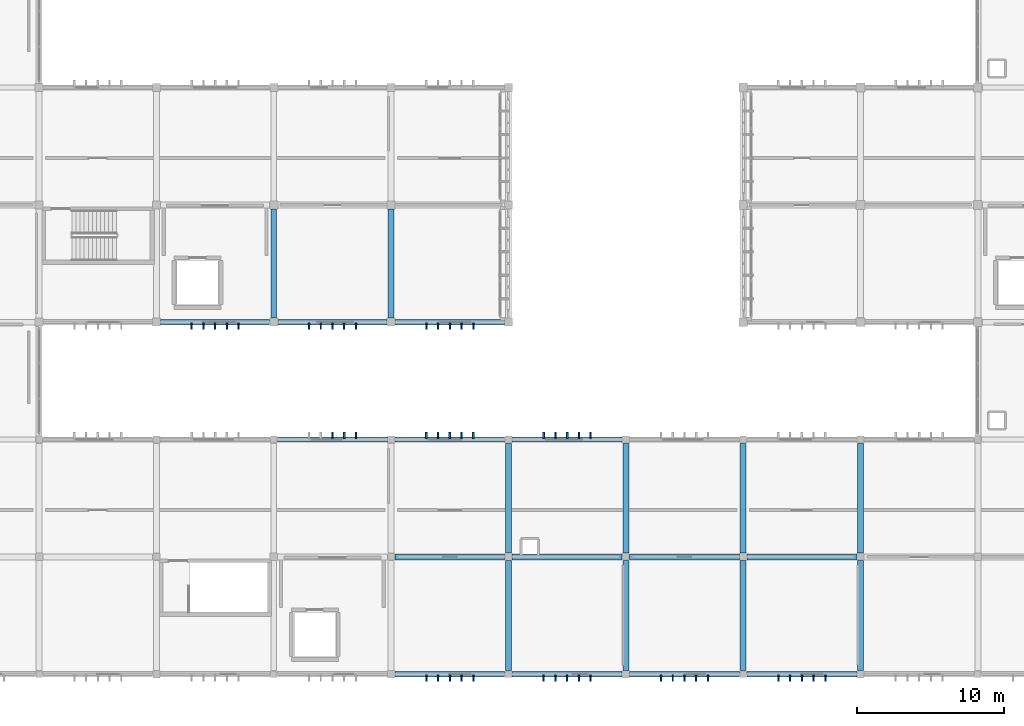
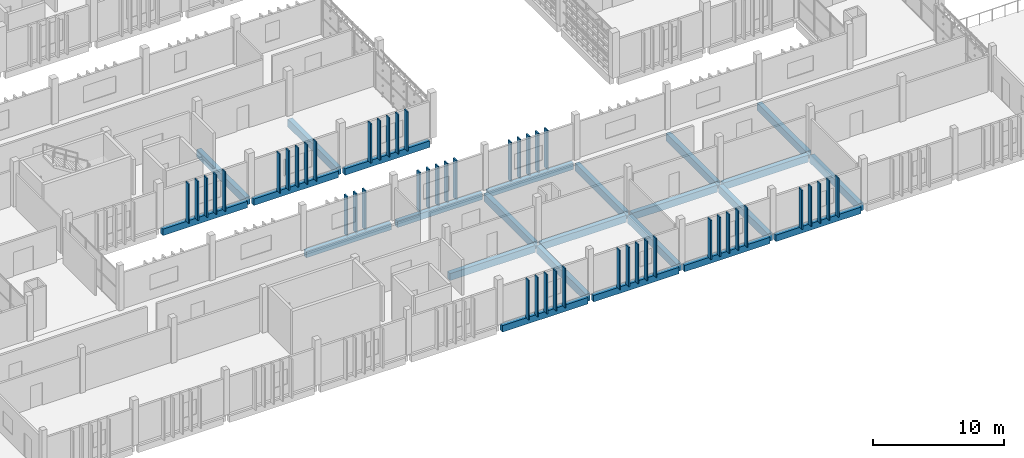
# One storey, part 17 of 63: 48 members, 24 beams.
"""IFC4 building model written with IfcOpenShell, lengths in metres."""

from ifc_helpers import new_model, si_unit, direction, frame, origin, origin_2d, place, context, subcontext, project, spatial, rectangle, extrude, material, material_profile, profile_set, type_object, element, save


model = new_model("IFC4")

# Units and contexts
model_context = context("Model", 3, precision=1e-05, world=origin(), true_north=direction((0.0, 1.0)))
body_context = subcontext(model_context, "Body", "Model", "MODEL_VIEW")
ifc_project = project(units=[si_unit("LENGTHUNIT", "METRE"), si_unit("AREAUNIT", "SQUARE_METRE"), si_unit("VOLUMEUNIT", "CUBIC_METRE"), si_unit("PLANEANGLEUNIT", "RADIAN"), si_unit("MASSUNIT", "GRAM", prefix="KILO")], contexts=[model_context])

# Site, building, storey
site_placement = place(None, origin())
site = spatial("IfcSite", under=ifc_project, at=site_placement, CompositionType="ELEMENT")
building_placement = place(site_placement, origin())
building = spatial("IfcBuilding", under=site, at=building_placement, Name="Jelvoka-Kovrelna Polytechnic", CompositionType="ELEMENT")
storey_placement = place(building_placement, frame((0.0, 0.0, 18.0)))
storey = spatial("IfcBuildingStorey", under=building, at=storey_placement, Name="L05", CompositionType="ELEMENT", Elevation=18.0)

# Beams
ifc_material_1 = material(Name="Concrete C40/50", Category="concrete")
ifc_material_profile_1 = material_profile(ifc_material_1, rectangle(XDim=0.39990234375, YDim=0.64990234375, at=origin_2d()), Name="RC 400x650")
ifc_profile_set_1 = profile_set([ifc_material_profile_1], Name="Concrete C40/50")
beam_type_1 = type_object("IfcBeamType", Name="Beam_RC_400x650", PredefinedType="BEAM", material=ifc_profile_set_1)
for number, where, z_axis, x_axis, name in (
    (1, (104.2548828125, 16.0, -0.574951171875), (1.0, 0.0, 0.0), (0.0, 1.0, 0.0), "L05 beam 1377"),
    (2, (112.2548828125, 16.0, -0.574951171875), (1.0, 0.0, 0.0), (0.0, 1.0, 0.0), "L05 beam 1403"),
    (3, (120.2548828125, 16.0, -0.574951171875), (1.0, 0.0, 0.0), (0.0, 1.0, 0.0), "L05 beam 1404"),
    (4, (128.2548828125, 16.0, -0.574951171875), (1.0, 0.0, 0.0), (0.0, 1.0, 0.0), "L05 beam 1405"),
):
    element("IfcBeam", number, at=place(storey_placement, frame(where, z_axis=z_axis, x_axis=x_axis)), inside=storey, type_object=beam_type_1, Name=name, PredefinedType="BEAM", context=body_context, shape_type="SweptSolid", body=[
        extrude(rectangle(XDim=0.39990234375, YDim=0.64990234375, at=origin_2d()), origin(), (0.0, 0.0, 1.0), 7.490234375),
    ])
ifc_material_2 = material(Name="Concrete C40/50", Category="concrete")
ifc_material_profile_2 = material_profile(ifc_material_2, rectangle(XDim=0.39990234375, YDim=0.699951171875, at=origin_2d()), Name="RC 400x700")
ifc_profile_set_2 = profile_set([ifc_material_profile_2], Name="Concrete C40/50")
beam_type_2 = type_object("IfcBeamType", Name="Beam_RC_400x700", PredefinedType="BEAM", material=ifc_profile_set_2)
for number, where, z_axis, x_axis, name in (
    (5, (112.0, 8.2548828125, -0.60009765625), (0.0, 1.0, 0.0), (-1.0, 0.0, 0.0), "L05 beam 1396"),
    (6, (112.0, 16.2548828125, -0.60009765625), (0.0, 1.0, 0.0), (-1.0, 0.0, 0.0), "L05 beam 1397"),
    (7, (120.0, 8.2548828125, -0.60009765625), (0.0, 1.0, 0.0), (-1.0, 0.0, 0.0), "L05 beam 1413"),
    (8, (120.0, 16.2548828125, -0.60009765625), (0.0, 1.0, 0.0), (-1.0, 0.0, 0.0), "L05 beam 1414"),
    (9, (128.0, 8.2548828125, -0.60009765625), (0.0, 1.0, 0.0), (-1.0, 0.0, 0.0), "L05 beam 1415"),
    (10, (128.0, 16.2548828125, -0.60009765625), (0.0, 1.0, 0.0), (-1.0, 0.0, 0.0), "L05 beam 1416"),
    (11, (136.0, 8.2548828125, -0.60009765625), (0.0, 1.0, 0.0), (-1.0, 0.0, 0.0), "L05 beam 1417"),
    (12, (136.0, 16.2548828125, -0.60009765625), (0.0, 1.0, 0.0), (-1.0, 0.0, 0.0), "L05 beam 1418"),
):
    element("IfcBeam", number, at=place(storey_placement, frame(where, z_axis=z_axis, x_axis=x_axis)), inside=storey, type_object=beam_type_2, Name=name, PredefinedType="BEAM", context=body_context, shape_type="SweptSolid", body=[
        extrude(rectangle(XDim=0.39990234375, YDim=0.699951171875, at=origin_2d()), origin(), (0.0, 0.0, 1.0), 7.490234375),
    ])
for number, where, z_axis, x_axis, name in (
    (13, (96.0, 32.280029296875, -0.60009765625), (0.0, 1.0, 0.0), (-1.0, 0.0, 0.0), "L05 beam 1453"),
    (14, (104.0, 32.280029296875, -0.60009765625), (0.0, 1.0, 0.0), (-1.0, 0.0, 0.0), "L05 beam 1455"),
):
    element("IfcBeam", number, at=place(storey_placement, frame(where, z_axis=z_axis, x_axis=x_axis)), inside=storey, type_object=beam_type_2, Name=name, PredefinedType="BEAM", context=body_context, shape_type="SweptSolid", body=[
        extrude(rectangle(XDim=0.39990234375, YDim=0.699951171875, at=origin_2d()), origin(), (0.0, 0.0, 1.0), 7.43994140625),
    ])

# Members
ifc_material_3 = material(Name="Precast concrete C40/50", Category="concrete")
ifc_material_profile_3 = material_profile(ifc_material_3, rectangle(XDim=0.10009765625, YDim=0.449951171875, at=origin_2d()), Name="PC 100x450")
ifc_profile_set_3 = profile_set([ifc_material_profile_3], Name="Precast concrete C40/50")
member_type_1 = type_object("IfcMemberType", Name="Louvre_Fin_100x450", PredefinedType="USERDEFINED", material=ifc_profile_set_3)
for number, where, z_axis, x_axis, name in (
    (15, (106.39990234375, 7.735107421875, -0.27001953125), (0.0, 0.0, 1.0), (1.0, 0.0, 0.0), "L05 B1 south vertical solar louvre fin 0501"),
    (16, (107.199951171875, 7.735107421875, -0.27001953125), (0.0, 0.0, 1.0), (1.0, 0.0, 0.0), "L05 B1 south vertical solar louvre fin 0502"),
    (17, (108.0, 7.735107421875, -0.27001953125), (0.0, 0.0, 1.0), (1.0, 0.0, 0.0), "L05 B1 south vertical solar louvre fin 0503"),
    (18, (108.800048828125, 7.735107421875, -0.27001953125), (0.0, 0.0, 1.0), (1.0, 0.0, 0.0), "L05 B1 south vertical solar louvre fin 0504"),
    (19, (109.60009765625, 7.735107421875, -0.27001953125), (0.0, 0.0, 1.0), (1.0, 0.0, 0.0), "L05 B1 south vertical solar louvre fin 0505"),
    (20, (114.39990234375, 7.735107421875, -0.27001953125), (0.0, 0.0, 1.0), (1.0, 0.0, 0.0), "L05 B1 south vertical solar louvre fin 0511"),
    (21, (115.199951171875, 7.735107421875, -0.27001953125), (0.0, 0.0, 1.0), (1.0, 0.0, 0.0), "L05 B1 south vertical solar louvre fin 0512"),
    (22, (116.0, 7.735107421875, -0.27001953125), (0.0, 0.0, 1.0), (1.0, 0.0, 0.0), "L05 B1 south vertical solar louvre fin 0513"),
    (23, (116.800048828125, 7.735107421875, -0.27001953125), (0.0, 0.0, 1.0), (1.0, 0.0, 0.0), "L05 B1 south vertical solar louvre fin 0514"),
    (24, (117.60009765625, 7.735107421875, -0.27001953125), (0.0, 0.0, 1.0), (1.0, 0.0, 0.0), "L05 B1 south vertical solar louvre fin 0515"),
    (25, (122.39990234375, 7.735107421875, -0.27001953125), (0.0, 0.0, 1.0), (1.0, 0.0, 0.0), "L05 B1 south vertical solar louvre fin 0521"),
    (26, (123.199951171875, 7.735107421875, -0.27001953125), (0.0, 0.0, 1.0), (1.0, 0.0, 0.0), "L05 B1 south vertical solar louvre fin 0522"),
    (27, (124.0, 7.735107421875, -0.27001953125), (0.0, 0.0, 1.0), (1.0, 0.0, 0.0), "L05 B1 south vertical solar louvre fin 0523"),
    (28, (124.800048828125, 7.735107421875, -0.27001953125), (0.0, 0.0, 1.0), (1.0, 0.0, 0.0), "L05 B1 south vertical solar louvre fin 0524"),
    (29, (125.60009765625, 7.735107421875, -0.27001953125), (0.0, 0.0, 1.0), (1.0, 0.0, 0.0), "L05 B1 south vertical solar louvre fin 0525"),
    (30, (130.39990234375, 7.735107421875, -0.27001953125), (0.0, 0.0, 1.0), (1.0, 0.0, 0.0), "L05 B1 south vertical solar louvre fin 0531"),
    (31, (131.199951171875, 7.735107421875, -0.27001953125), (0.0, 0.0, 1.0), (1.0, 0.0, 0.0), "L05 B1 south vertical solar louvre fin 0532"),
    (32, (132.0, 7.735107421875, -0.27001953125), (0.0, 0.0, 1.0), (1.0, 0.0, 0.0), "L05 B1 south vertical solar louvre fin 0533"),
    (33, (132.800048828125, 7.735107421875, -0.27001953125), (0.0, 0.0, 1.0), (1.0, 0.0, 0.0), "L05 B1 south vertical solar louvre fin 0534"),
    (34, (133.60009765625, 7.735107421875, -0.27001953125), (0.0, 0.0, 1.0), (1.0, 0.0, 0.0), "L05 B1 south vertical solar louvre fin 0535"),
    (35, (90.39990234375, 31.735107421875, -0.27001953125), (0.0, 0.0, 1.0), (1.0, 0.0, 0.0), "L05 B2W south vertical solar louvre fin 0781"),
    (36, (91.199951171875, 31.735107421875, -0.27001953125), (0.0, 0.0, 1.0), (1.0, 0.0, 0.0), "L05 B2W south vertical solar louvre fin 0782"),
    (37, (92.0, 31.735107421875, -0.27001953125), (0.0, 0.0, 1.0), (1.0, 0.0, 0.0), "L05 B2W south vertical solar louvre fin 0783"),
    (38, (92.800048828125, 31.735107421875, -0.27001953125), (0.0, 0.0, 1.0), (1.0, 0.0, 0.0), "L05 B2W south vertical solar louvre fin 0784"),
    (39, (93.60009765625, 31.735107421875, -0.27001953125), (0.0, 0.0, 1.0), (1.0, 0.0, 0.0), "L05 B2W south vertical solar louvre fin 0785"),
    (40, (98.39990234375, 31.735107421875, -0.27001953125), (0.0, 0.0, 1.0), (1.0, 0.0, 0.0), "L05 B2W south vertical solar louvre fin 0791"),
    (41, (99.199951171875, 31.735107421875, -0.27001953125), (0.0, 0.0, 1.0), (1.0, 0.0, 0.0), "L05 B2W south vertical solar louvre fin 0792"),
    (42, (100.0, 31.735107421875, -0.27001953125), (0.0, 0.0, 1.0), (1.0, 0.0, 0.0), "L05 B2W south vertical solar louvre fin 0793"),
    (43, (100.800048828125, 31.735107421875, -0.27001953125), (0.0, 0.0, 1.0), (1.0, 0.0, 0.0), "L05 B2W south vertical solar louvre fin 0794"),
    (44, (101.60009765625, 31.735107421875, -0.27001953125), (0.0, 0.0, 1.0), (1.0, 0.0, 0.0), "L05 B2W south vertical solar louvre fin 0795"),
    (45, (106.39990234375, 31.735107421875, -0.27001953125), (0.0, 0.0, 1.0), (1.0, 0.0, 0.0), "L05 B2W south vertical solar louvre fin 0801"),
    (46, (107.199951171875, 31.735107421875, -0.27001953125), (0.0, 0.0, 1.0), (1.0, 0.0, 0.0), "L05 B2W south vertical solar louvre fin 0802"),
    (47, (108.0, 31.735107421875, -0.27001953125), (0.0, 0.0, 1.0), (1.0, 0.0, 0.0), "L05 B2W south vertical solar louvre fin 0803"),
    (48, (108.800048828125, 31.735107421875, -0.27001953125), (0.0, 0.0, 1.0), (1.0, 0.0, 0.0), "L05 B2W south vertical solar louvre fin 0804"),
    (49, (109.60009765625, 31.735107421875, -0.27001953125), (0.0, 0.0, 1.0), (1.0, 0.0, 0.0), "L05 B2W south vertical solar louvre fin 0805"),
):
    element("IfcMember", number, at=place(storey_placement, frame(where, z_axis=z_axis, x_axis=x_axis)), inside=storey, type_object=member_type_1, Name=name, ObjectType="SUNSHADE", PredefinedType="USERDEFINED", context=body_context, shape_type="SweptSolid", body=[
        extrude(rectangle(XDim=0.10009765625, YDim=0.449951171875, at=origin_2d()), origin(), (0.0, 0.0, 1.0), 3.655029296875),
    ])
ifc_material_4 = material(Name="Precast concrete C40/50", Category="concrete")
ifc_material_profile_4 = material_profile(ifc_material_4, rectangle(XDim=0.1201171875, YDim=0.449951171875, at=origin_2d()), Name="PC 120x450")
ifc_profile_set_4 = profile_set([ifc_material_profile_4], Name="Precast concrete C40/50")
member_type_2 = type_object("IfcMemberType", Name="Louvre_Fin_120x450", PredefinedType="USERDEFINED", material=ifc_profile_set_4)
for number, where, z_axis, x_axis, name in (
    (50, (100.0, 24.264892578125, -0.27001953125), (0.0, 0.0, 1.0), (1.0, 0.0, 0.0), "L05 B1 north vertical solar louvre fin 0498"),
    (51, (100.800048828125, 24.264892578125, -0.27001953125), (0.0, 0.0, 1.0), (1.0, 0.0, 0.0), "L05 B1 north vertical solar louvre fin 0499"),
    (52, (101.60009765625, 24.264892578125, -0.27001953125), (0.0, 0.0, 1.0), (1.0, 0.0, 0.0), "L05 B1 north vertical solar louvre fin 0500"),
    (53, (106.39990234375, 24.264892578125, -0.27001953125), (0.0, 0.0, 1.0), (1.0, 0.0, 0.0), "L05 B1 north vertical solar louvre fin 0506"),
    (54, (107.199951171875, 24.264892578125, -0.27001953125), (0.0, 0.0, 1.0), (1.0, 0.0, 0.0), "L05 B1 north vertical solar louvre fin 0507"),
    (55, (108.0, 24.264892578125, -0.27001953125), (0.0, 0.0, 1.0), (1.0, 0.0, 0.0), "L05 B1 north vertical solar louvre fin 0508"),
    (56, (108.800048828125, 24.264892578125, -0.27001953125), (0.0, 0.0, 1.0), (1.0, 0.0, 0.0), "L05 B1 north vertical solar louvre fin 0509"),
    (57, (109.60009765625, 24.264892578125, -0.27001953125), (0.0, 0.0, 1.0), (1.0, 0.0, 0.0), "L05 B1 north vertical solar louvre fin 0510"),
    (58, (114.39990234375, 24.264892578125, -0.27001953125), (0.0, 0.0, 1.0), (1.0, 0.0, 0.0), "L05 B1 north vertical solar louvre fin 0516"),
    (59, (115.199951171875, 24.264892578125, -0.27001953125), (0.0, 0.0, 1.0), (1.0, 0.0, 0.0), "L05 B1 north vertical solar louvre fin 0517"),
    (60, (116.0, 24.264892578125, -0.27001953125), (0.0, 0.0, 1.0), (1.0, 0.0, 0.0), "L05 B1 north vertical solar louvre fin 0518"),
    (61, (116.800048828125, 24.264892578125, -0.27001953125), (0.0, 0.0, 1.0), (1.0, 0.0, 0.0), "L05 B1 north vertical solar louvre fin 0519"),
    (62, (117.60009765625, 24.264892578125, -0.27001953125), (0.0, 0.0, 1.0), (1.0, 0.0, 0.0), "L05 B1 north vertical solar louvre fin 0520"),
):
    element("IfcMember", number, at=place(storey_placement, frame(where, z_axis=z_axis, x_axis=x_axis)), inside=storey, type_object=member_type_2, Name=name, ObjectType="SUNSHADE", PredefinedType="USERDEFINED", context=body_context, shape_type="SweptSolid", body=[
        extrude(rectangle(XDim=0.1201171875, YDim=0.449951171875, at=origin_2d()), origin(), (0.0, 0.0, 1.0), 3.655029296875),
    ])

# Beams
ifc_material_5 = material(Name="Concrete C40/50", Category="concrete")
ifc_material_profile_5 = material_profile(ifc_material_5, rectangle(XDim=0.35009765625, YDim=0.60009765625, at=origin_2d()), Name="RC 350x600")
ifc_profile_set_5 = profile_set([ifc_material_profile_5], Name="Concrete C40/50")
beam_type_3 = type_object("IfcBeamType", Name="Spandrel_RC_350x600", PredefinedType="SPANDREL", material=ifc_profile_set_5)
for number, where, z_axis, x_axis, name in (
    (63, (104.2548828125, 8.0, -0.550048828125), (1.0, 0.0, 0.0), (0.0, 1.0, 0.0), "L05 beam 1372"),
    (64, (96.2548828125, 24.0, -0.550048828125), (1.0, 0.0, 0.0), (0.0, 1.0, 0.0), "L05 beam 1382"),
    (65, (104.2548828125, 24.0, -0.550048828125), (1.0, 0.0, 0.0), (0.0, 1.0, 0.0), "L05 beam 1383"),
    (66, (112.2548828125, 8.0, -0.550048828125), (1.0, 0.0, 0.0), (0.0, 1.0, 0.0), "L05 beam 1398"),
    (67, (120.2548828125, 8.0, -0.550048828125), (1.0, 0.0, 0.0), (0.0, 1.0, 0.0), "L05 beam 1399"),
    (68, (128.2548828125, 8.0, -0.550048828125), (1.0, 0.0, 0.0), (0.0, 1.0, 0.0), "L05 beam 1400"),
    (69, (112.2548828125, 24.0, -0.550048828125), (1.0, 0.0, 0.0), (0.0, 1.0, 0.0), "L05 beam 1408"),
):
    element("IfcBeam", number, at=place(storey_placement, frame(where, z_axis=z_axis, x_axis=x_axis)), inside=storey, type_object=beam_type_3, Name=name, PredefinedType="SPANDREL", context=body_context, shape_type="SweptSolid", body=[
        extrude(rectangle(XDim=0.35009765625, YDim=0.60009765625, at=origin_2d()), origin(), (0.0, 0.0, 1.0), 7.490234375),
    ])
for number, where, z_axis, x_axis, name in (
    (70, (88.280029296875, 32.0, -0.550048828125), (1.0, 0.0, 0.0), (0.0, 1.0, 0.0), "L05 beam 1427"),
    (71, (96.280029296875, 32.0, -0.550048828125), (1.0, 0.0, 0.0), (0.0, 1.0, 0.0), "L05 beam 1428"),
    (72, (104.280029296875, 32.0, -0.550048828125), (1.0, 0.0, 0.0), (0.0, 1.0, 0.0), "L05 beam 1429"),
):
    element("IfcBeam", number, at=place(storey_placement, frame(where, z_axis=z_axis, x_axis=x_axis)), inside=storey, type_object=beam_type_3, Name=name, PredefinedType="SPANDREL", context=body_context, shape_type="SweptSolid", body=[
        extrude(rectangle(XDim=0.35009765625, YDim=0.60009765625, at=origin_2d()), origin(), (0.0, 0.0, 1.0), 7.43994140625),
    ])

save(model, "model.ifc")
